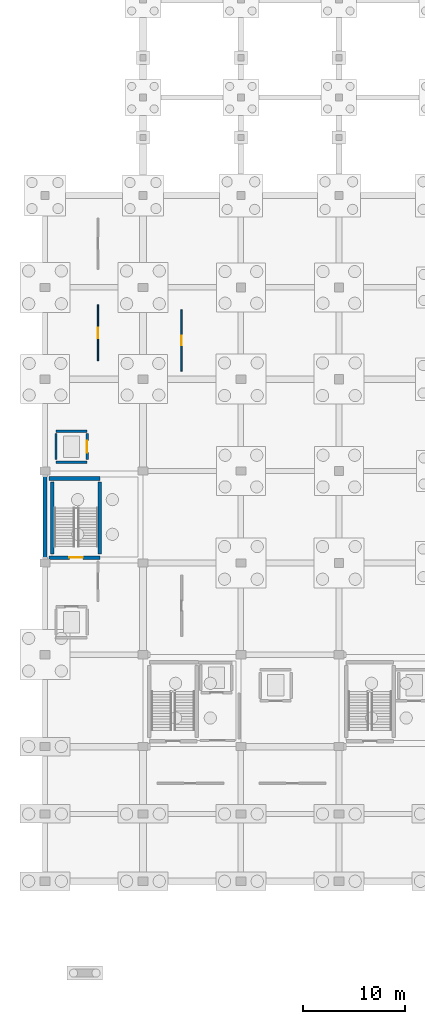
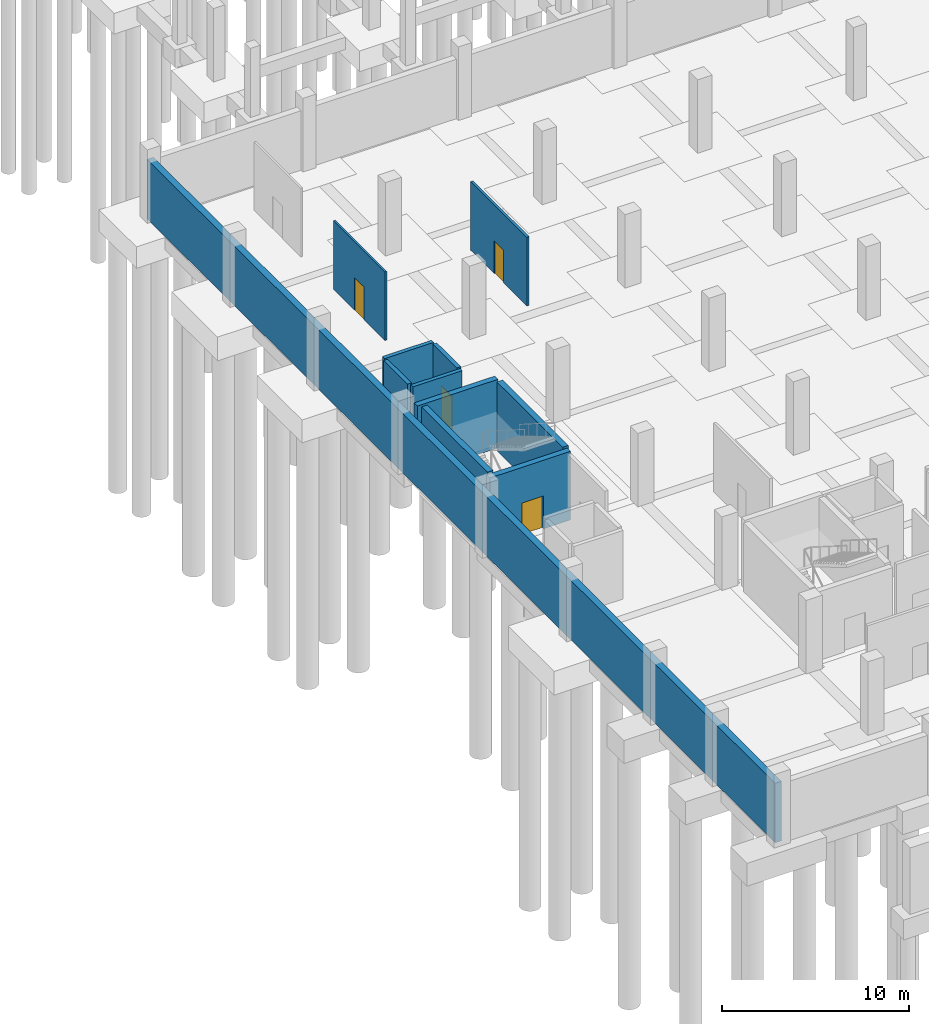
# One storey, part 26 of 39: 11 walls, 4 doors, 4 openings.
"""IFC4 building model written with IfcOpenShell, lengths in metres."""

from ifc_helpers import new_model, si_unit, direction, frame, frame_2d, origin, place, context, subcontext, project, spatial, rectangle, extrude, material, layer, layer_set, type_object, element, fill, save


model = new_model("IFC4")

# Units and contexts
model_context = context("Model", 3, precision=1e-05, world=origin(), true_north=direction((0.0, 1.0)))
body_context = subcontext(model_context, "Body", "Model", "MODEL_VIEW")
ifc_project = project(units=[si_unit("LENGTHUNIT", "METRE"), si_unit("AREAUNIT", "SQUARE_METRE"), si_unit("VOLUMEUNIT", "CUBIC_METRE"), si_unit("PLANEANGLEUNIT", "RADIAN"), si_unit("MASSUNIT", "GRAM", prefix="KILO")], contexts=[model_context])

# Site, building, storey
site_placement = place(None, origin())
site = spatial("IfcSite", under=ifc_project, at=site_placement, CompositionType="ELEMENT")
building_placement = place(site_placement, origin())
building = spatial("IfcBuilding", under=site, at=building_placement, Name="Zarnetskaya Central Station", CompositionType="ELEMENT")
storey_placement = place(building_placement, frame((0.0, 0.0, -4.800048828125)))
storey = spatial("IfcBuildingStorey", under=building, at=storey_placement, Name="B1", CompositionType="ELEMENT", Elevation=-4.800048828125)

# Wall, opening, door
ifc_material_1 = material(Name="Gypsum acoustic partition")
ifc_layer_1 = layer(ifc_material_1, 0.14501953125, Name="Gypsum acoustic partition")
ifc_layer_set_1 = layer_set([ifc_layer_1], Name="Gypsum acoustic partition")
wall_type_1 = type_object("IfcWallType", Name="PART-HALL-145", PredefinedType="PARTITIONING", material=ifc_layer_set_1)
wall_1_placement = place(storey_placement, frame((13.39990234375, 50.0, 0.0), z_axis=(0.0, 0.0, 1.0), x_axis=(0.0, 1.0, 0.0)))
wall_1 = element("IfcWall", 1, at=wall_1_placement, inside=storey, type_object=wall_type_1, Name="Interior partition IPRT-B1-0375", PredefinedType="PARTITIONING", context=body_context, shape_type="SweptSolid", body=[
    extrude(rectangle(XDim=6.0, YDim=0.14501953125, at=frame_2d((3.0, 0.0))), origin(), (0.0, 0.0, 1.0), 4.47998046875),
])
opening_1_placement = place(wall_1_placement, frame((2.514892578125, 0.0, 0.0)))
opening_1 = element("IfcOpeningElement", 2, at=opening_1_placement, cuts=wall_1, Name="Opening DR-01", PredefinedType="OPENING", context=body_context, shape_type="SweptSolid", body=[
    extrude(rectangle(XDim=0.969970703125, YDim=2.1201171875, at=frame_2d((0.48486328125, 1.06005859375))), frame((0.0, 0.08251953125, 0.0), z_axis=(0.0, -1.0, 0.0), x_axis=(1.0, 0.0, 0.0)), (0.0, 0.0, 1.0), 0.1650390625),
])
ifc_material_2 = material(Name="Anodised aluminium", Category="aluminium")
door_type_1 = type_object("IfcDoorType", Name="DR-INT-20", OperationType="NOTDEFINED", PredefinedType="DOOR", material=ifc_material_2)
door_1_placement = place(opening_1_placement, origin())
door_1 = element("IfcDoor", 3, at=door_1_placement, inside=storey, type_object=door_type_1, Name="Automated Baggage Handling Hall door", OperationType="SINGLE_SWING_LEFT", OverallHeight=2.1201171875, OverallWidth=0.969970703125, PredefinedType="DOOR", context=body_context, shape_type="SweptSolid", body=[
    extrude(rectangle(XDim=0.969970703125, YDim=2.1201171875, at=frame_2d((0.48486328125, 1.06005859375))), frame((0.0, 0.02490234375, 0.0), z_axis=(0.0, -1.0, 0.0), x_axis=(1.0, 0.0, 0.0)), (0.0, 0.0, 1.0), 0.050048828125),
])
fill(opening_1, door_1)

ifc_material_3 = material(Name="Gypsum moisture partition")
ifc_layer_2 = layer(ifc_material_3, 0.114990234375, Name="Gypsum moisture partition")
ifc_layer_set_2 = layer_set([ifc_layer_2], Name="Gypsum moisture partition")
wall_type_2 = type_object("IfcWallType", Name="PART-WC-115", PredefinedType="PARTITIONING", material=ifc_layer_set_2)
wall_2_placement = place(storey_placement, frame((5.199951171875, 56.5, 0.0), z_axis=(0.0, 0.0, 1.0), x_axis=(0.0, -1.0, 0.0)))
wall_2 = element("IfcWall", 4, at=wall_2_placement, inside=storey, type_object=wall_type_2, Name="Interior partition IPRT-B1-0376", PredefinedType="PARTITIONING", context=body_context, shape_type="SweptSolid", body=[
    extrude(rectangle(XDim=5.5, YDim=0.114990234375, at=frame_2d((2.75, 0.0))), origin(), (0.0, 0.0, 1.0), 4.47998046875),
])
opening_2_placement = place(wall_2_placement, frame((2.239990234375, 0.0, 0.0)))
opening_2 = element("IfcOpeningElement", 5, at=opening_2_placement, cuts=wall_2, Name="Opening DR-18", PredefinedType="OPENING", context=body_context, shape_type="SweptSolid", body=[
    extrude(rectangle(XDim=1.02001953125, YDim=2.139892578125, at=frame_2d((0.510009765625, 1.06982421875))), frame((0.0, 0.0673828125, 0.0), z_axis=(0.0, -1.0, 0.0), x_axis=(1.0, 0.0, 0.0)), (0.0, 0.0, 1.0), 0.135009765625),
])
door_type_2 = type_object("IfcDoorType", Name="DR-INT-21", OperationType="NOTDEFINED", PredefinedType="DOOR", material=ifc_material_2)
door_2_placement = place(opening_2_placement, origin())
door_2 = element("IfcDoor", 6, at=door_2_placement, inside=storey, type_object=door_type_2, Name="Public WC Suite B1 door", OperationType="SINGLE_SWING_RIGHT", OverallHeight=2.139892578125, OverallWidth=1.02001953125, PredefinedType="DOOR", context=body_context, shape_type="SweptSolid", body=[
    extrude(rectangle(XDim=1.02001953125, YDim=2.139892578125, at=frame_2d((0.510009765625, 1.06982421875))), frame((0.0, 0.02490234375, 0.0), z_axis=(0.0, -1.0, 0.0), x_axis=(1.0, 0.0, 0.0)), (0.0, 0.0, 1.0), 0.050048828125),
])
fill(opening_2, door_2)

ifc_material_4 = material(Name="Concrete C35/45", Category="concrete")
ifc_layer_3 = layer(ifc_material_4, 0.35009765625, Name="Concrete C35/45", Category="concrete")
ifc_layer_set_3 = layer_set([ifc_layer_3], Name="Concrete C35/45")
wall_type_3 = type_object("IfcWallType", Name="WALL-CORE-350", PredefinedType="SHEAR", material=ifc_layer_set_3)
wall_3_placement = place(storey_placement, frame((5.375, 31.72509765625, 0.0), z_axis=(0.0, 0.0, 1.0), x_axis=(-1.0, 0.0, 0.0)))
wall_3 = element("IfcWall", 7, at=wall_3_placement, inside=storey, type_object=wall_type_3, Name="Core shear wall WSTR-B1-0217", PredefinedType="SHEAR", context=body_context, shape_type="SweptSolid", body=[
    extrude(rectangle(XDim=4.97509765625, YDim=0.35009765625, at=frame_2d((2.487548828125, 0.0))), origin(), (0.0, 0.0, 1.0), 4.47998046875),
])
opening_3_placement = place(wall_3_placement, frame((1.6650390625, 0.0, 0.0)))
opening_3 = element("IfcOpeningElement", 8, at=opening_3_placement, cuts=wall_3, Name="Opening DR-FD60", PredefinedType="OPENING", context=body_context, shape_type="SweptSolid", body=[
    extrude(rectangle(XDim=1.320068359375, YDim=2.14990234375, at=frame_2d((0.66015625, 1.074951171875))), frame((0.0, 0.18505859375, 0.0), z_axis=(0.0, -1.0, 0.0), x_axis=(1.0, 0.0, 0.0)), (0.0, 0.0, 1.0), 0.3701171875),
])
door_type_3 = type_object("IfcDoorType", Name="DR-FIRE-STAIR", OperationType="NOTDEFINED", PredefinedType="DOOR", material=ifc_material_2)
door_3_placement = place(opening_3_placement, origin())
door_3 = element("IfcDoor", 9, at=door_3_placement, inside=storey, type_object=door_type_3, Name="Protected exit stair door ST-C2 B1", OperationType="SINGLE_SWING_RIGHT", OverallHeight=2.14990234375, OverallWidth=1.320068359375, PredefinedType="DOOR", context=body_context, shape_type="SweptSolid", body=[
    extrude(rectangle(XDim=1.320068359375, YDim=2.14990234375, at=frame_2d((0.66015625, 1.074951171875))), frame((0.0, 0.02490234375, 0.0), z_axis=(0.0, -1.0, 0.0), x_axis=(1.0, 0.0, 0.0)), (0.0, 0.0, 1.0), 0.050048828125),
])
fill(opening_3, door_3)

# Walls
wall_4_placement = place(storey_placement, frame((0.39990234375, 39.47509765625, 0.0), z_axis=(0.0, 0.0, 1.0), x_axis=(1.0, 0.0, 0.0)))
element("IfcWall", 10, at=wall_4_placement, inside=storey, type_object=wall_type_3, Name="Core shear wall WSTR-B1-0218", PredefinedType="SHEAR", context=body_context, shape_type="SweptSolid", body=[
    extrude(rectangle(XDim=4.97509765625, YDim=0.35009765625, at=frame_2d((2.487548828125, 0.0))), origin(), (0.0, 0.0, 1.0), 4.47998046875),
])
for number, where, z_axis, x_axis, name in (
    (11, (0.72509765625, 32.074951171875, 0.0), (0.0, 0.0, 1.0), (0.0, 1.0, 0.0), "Core shear wall WSTR-B1-0219"),
    (12, (5.375, 39.125, 0.0), (0.0, 0.0, 1.0), (0.0, -1.0, 0.0), "Core shear wall WSTR-B1-0220"),
):
    element("IfcWall", number, at=place(storey_placement, frame(where, z_axis=z_axis, x_axis=x_axis)), inside=storey, type_object=wall_type_3, Name=name, PredefinedType="SHEAR", context=body_context, shape_type="SweptSolid", body=[
        extrude(rectangle(XDim=7.050048828125, YDim=0.35009765625, at=frame_2d((3.52490234375, 0.0))), origin(), (0.0, 0.0, 1.0), 4.47998046875),
    ])
ifc_layer_4 = layer(ifc_material_4, 0.39990234375, Name="Concrete C35/45", Category="concrete")
ifc_layer_set_4 = layer_set([ifc_layer_4], Name="Concrete C35/45")
wall_type_4 = type_object("IfcWallType", Name="WALL-RET-400", PredefinedType="USERDEFINED", material=ifc_layer_set_4)
wall_5_placement = place(storey_placement, frame((0.0, 0.0, 0.0), z_axis=(0.0, 0.0, 1.0), x_axis=(0.0, 1.0, 0.0)))
element("IfcWall", 13, at=wall_5_placement, inside=storey, type_object=wall_type_4, Name="Basement perimeter retaining wall 01", ObjectType="RETAININGWALL", PredefinedType="USERDEFINED", context=body_context, shape_type="SweptSolid", body=[
    extrude(rectangle(XDim=67.199951171875, YDim=0.39990234375, at=frame_2d((33.60009765625, 0.0))), origin(), (0.0, 0.0, 1.0), 3.880126953125),
])
ifc_layer_5 = layer(ifc_material_4, 0.239990234375, Name="Concrete C35/45", Category="concrete")
ifc_layer_set_5 = layer_set([ifc_layer_5], Name="Concrete C35/45")
wall_type_5 = type_object("IfcWallType", Name="WALL-SHFT-240", PredefinedType="SHEAR", material=ifc_layer_set_5)
for number, where, z_axis, x_axis, name in (
    (14, (4.1201171875, 41.080078125, 0.0), (0.0, 0.0, 1.0), (-1.0, 0.0, 0.0), "Core shear wall WSHF-B1-0085"),
    (15, (1.080078125, 44.1201171875, 0.0), (0.0, 0.0, 1.0), (1.0, 0.0, 0.0), "Core shear wall WSHF-B1-0086"),
):
    element("IfcWall", number, at=place(storey_placement, frame(where, z_axis=z_axis, x_axis=x_axis)), inside=storey, type_object=wall_type_5, Name=name, PredefinedType="SHEAR", context=body_context, shape_type="SweptSolid", body=[
        extrude(rectangle(XDim=3.0400390625, YDim=0.239990234375, at=frame_2d((1.52001953125, 0.0))), origin(), (0.0, 0.0, 1.0), 4.47998046875),
    ])
wall_6_placement = place(storey_placement, frame((1.080078125, 41.320068359375, 0.0), z_axis=(0.0, 0.0, 1.0), x_axis=(0.0, 1.0, 0.0)))
element("IfcWall", 16, at=wall_6_placement, inside=storey, type_object=wall_type_5, Name="Core shear wall WSHF-B1-0087", PredefinedType="SHEAR", context=body_context, shape_type="SweptSolid", body=[
    extrude(rectangle(XDim=2.559814453125, YDim=0.239990234375, at=frame_2d((1.27978515625, 0.0))), origin(), (0.0, 0.0, 1.0), 4.47998046875),
])

# Wall, opening, door
wall_7_placement = place(storey_placement, frame((4.1201171875, 43.8798828125, 0.0), z_axis=(0.0, 0.0, 1.0), x_axis=(0.0, -1.0, 0.0)))
wall_7 = element("IfcWall", 17, at=wall_7_placement, inside=storey, type_object=wall_type_5, Name="Core shear wall WSHF-B1-0088", PredefinedType="SHEAR", context=body_context, shape_type="SweptSolid", body=[
    extrude(rectangle(XDim=2.559814453125, YDim=0.239990234375, at=frame_2d((1.27978515625, 0.0))), origin(), (0.0, 0.0, 1.0), 4.47998046875),
])
opening_4_placement = place(wall_7_placement, frame((0.699951171875, 0.0, 0.0)))
opening_4 = element("IfcOpeningElement", 18, at=opening_4_placement, cuts=wall_7, Name="Opening DR-24", PredefinedType="OPENING", context=body_context, shape_type="SweptSolid", body=[
    extrude(rectangle(XDim=1.159912109375, YDim=2.14990234375, at=frame_2d((0.580078125, 1.074951171875))), frame((0.0, 0.1298828125, 0.0), z_axis=(0.0, -1.0, 0.0), x_axis=(1.0, 0.0, 0.0)), (0.0, 0.0, 1.0), 0.260009765625),
])
door_type_4 = type_object("IfcDoorType", Name="DR-LIFT-PAX", OperationType="NOTDEFINED", PredefinedType="DOOR", material=ifc_material_2)
door_4_placement = place(opening_4_placement, origin())
door_4 = element("IfcDoor", 19, at=door_4_placement, inside=storey, type_object=door_type_4, Name="Lift landing sliding door LP-02 B1", OperationType="DOUBLE_DOOR_SLIDING", OverallHeight=2.14990234375, OverallWidth=1.159912109375, PredefinedType="DOOR", context=body_context, shape_type="SweptSolid", body=[
    extrude(rectangle(XDim=1.159912109375, YDim=2.14990234375, at=frame_2d((0.580078125, 1.074951171875))), frame((0.0, 0.02490234375, 0.0), z_axis=(0.0, -1.0, 0.0), x_axis=(1.0, 0.0, 0.0)), (0.0, 0.0, 1.0), 0.050048828125),
])
fill(opening_4, door_4)

save(model, "model.ifc")
